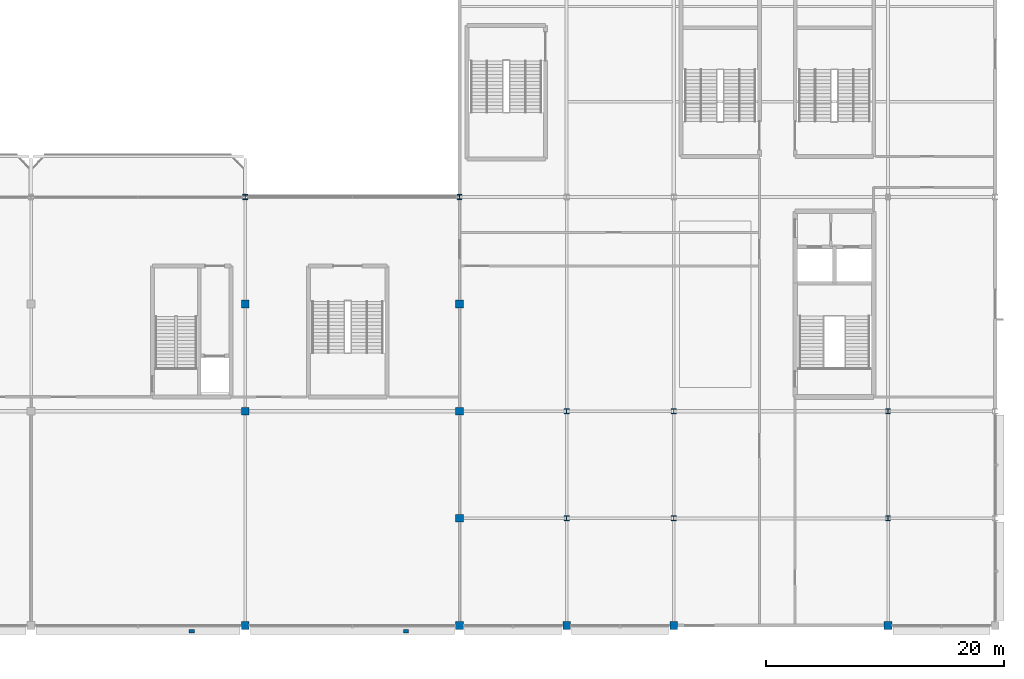
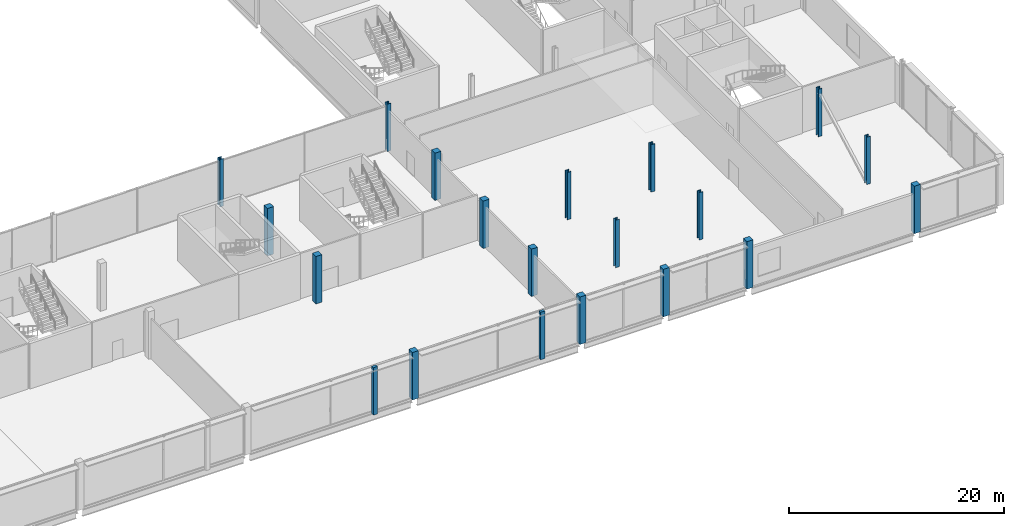
# One storey, part 7 of 113: 20 columns.
"""IFC4 building model written with IfcOpenShell, lengths in metres."""

from ifc_helpers import new_model, si_unit, direction, frame, origin, origin_2d, place, context, subcontext, project, spatial, rectangle, i_section, extrude, material, material_profile, profile_set, type_object, element, save


model = new_model("IFC4")

# Units and contexts
model_context = context("Model", 3, precision=1e-05, world=origin(), true_north=direction((0.0, 1.0)))
body_context = subcontext(model_context, "Body", "Model", "MODEL_VIEW")
ifc_project = project(units=[si_unit("LENGTHUNIT", "METRE"), si_unit("AREAUNIT", "SQUARE_METRE"), si_unit("VOLUMEUNIT", "CUBIC_METRE"), si_unit("PLANEANGLEUNIT", "RADIAN"), si_unit("MASSUNIT", "GRAM", prefix="KILO")], contexts=[model_context])

# Site, building, storey
site_placement = place(None, origin())
site = spatial("IfcSite", under=ifc_project, at=site_placement, CompositionType="ELEMENT")
building_placement = place(site_placement, origin())
building = spatial("IfcBuilding", under=site, at=building_placement, Name="Kisiwana Market Hall", CompositionType="ELEMENT")
storey_placement = place(building_placement, frame((0.0, 0.0, 6.0)))
storey = spatial("IfcBuildingStorey", under=building, at=storey_placement, Name="L01", CompositionType="ELEMENT", Elevation=6.0)

# Columns
ifc_material_1 = material(Name="Concrete C40/50", Category="concrete")
ifc_material_profile_1 = material_profile(ifc_material_1, rectangle(XDim=0.64990234375, YDim=0.64990234375, at=origin_2d()), Name="RC 650x650")
ifc_profile_set_1 = profile_set([ifc_material_profile_1], Name="Concrete C40/50")
column_type_1 = type_object("IfcColumnType", Name="COL-RC-POD-650", PredefinedType="COLUMN", material=ifc_profile_set_1)
for number, where, z_axis, x_axis, name in (
    (1, (135.0, 0.0, 0.0), (0.0, 0.0, 1.0), (1.0, 0.0, 0.0), "Column A/16 (L01) C-0441"),
    (2, (135.0, 18.0, 0.0), (0.0, 0.0, 1.0), (1.0, 0.0, 0.0), "Column C/16 (L01) C-0442"),
    (3, (135.0, 27.0, 0.0), (0.0, 0.0, 1.0), (1.0, 0.0, 0.0), "Column D/16 (L01) C-0443"),
    (4, (153.0, 0.0, 0.0), (0.0, 0.0, 1.0), (1.0, 0.0, 0.0), "Column A/18 (L01) C-0449"),
    (5, (153.0, 9.0, 0.0), (0.0, 0.0, 1.0), (1.0, 0.0, 0.0), "Column B/18 (L01) C-0450"),
    (6, (153.0, 18.0, 0.0), (0.0, 0.0, 1.0), (1.0, 0.0, 0.0), "Column C/18 (L01) C-0451"),
    (7, (153.0, 27.0, 0.0), (0.0, 0.0, 1.0), (1.0, 0.0, 0.0), "Column D/18 (L01) C-0452"),
    (8, (162.0, 0.0, 0.0), (0.0, 0.0, 1.0), (1.0, 0.0, 0.0), "Column A/19 (L01) C-0460"),
    (9, (171.0, 0.0, 0.0), (0.0, 0.0, 1.0), (1.0, 0.0, 0.0), "Column A/20 (L01) C-0468"),
    (10, (189.0, 0.0, 0.0), (0.0, 0.0, 1.0), (1.0, 0.0, 0.0), "Column A/22 (L01) C-0477"),
):
    element("IfcColumn", number, at=place(storey_placement, frame(where, z_axis=z_axis, x_axis=x_axis)), inside=storey, type_object=column_type_1, Name=name, PredefinedType="COLUMN", context=body_context, shape_type="SweptSolid", body=[
        extrude(rectangle(XDim=0.64990234375, YDim=0.64990234375, at=origin_2d()), origin(), (0.0, 0.0, 1.0), 5.39990234375),
    ])
ifc_material_2 = material(Name="Steel S355", Category="steel")
ifc_material_profile_2 = material_profile(ifc_material_2, i_section(OverallWidth=0.412109375, OverallDepth=0.43505859375, WebThickness=0.035888671875, FlangeThickness=0.05810546875, at=origin_2d()), Name="HD 400x463")
ifc_profile_set_2 = profile_set([ifc_material_profile_2], Name="Steel S355")
column_type_2 = type_object("IfcColumnType", Name="COL-STL-HD463", PredefinedType="COLUMN", material=ifc_profile_set_2)
for number, where, z_axis, x_axis, name in (
    (11, (135.0, 36.0, 0.0), (0.0, 0.0, 1.0), (1.0, 0.0, 0.0), "Column E/16 (L01) C-0444"),
    (12, (153.0, 36.0, 0.0), (0.0, 0.0, 1.0), (1.0, 0.0, 0.0), "Column E/18 (L01) C-0453"),
    (13, (162.0, 18.0, 0.0), (0.0, 0.0, 1.0), (1.0, 0.0, 0.0), "Column C/19 (L01) C-0462"),
    (14, (171.0, 18.0, 0.0), (0.0, 0.0, 1.0), (1.0, 0.0, 0.0), "Column C/20 (L01) C-0470"),
    (15, (189.0, 18.0, 0.0), (0.0, 0.0, 1.0), (1.0, 0.0, 0.0), "Column C/22 (L01) C-0479"),
):
    element("IfcColumn", number, at=place(storey_placement, frame(where, z_axis=z_axis, x_axis=x_axis)), inside=storey, type_object=column_type_2, Name=name, PredefinedType="COLUMN", context=body_context, shape_type="SweptSolid", body=[
        extrude(i_section(OverallWidth=0.412109375, OverallDepth=0.43505859375, WebThickness=0.035888671875, FlangeThickness=0.05810546875, at=origin_2d()), origin(), (0.0, 0.0, 1.0), 5.39990234375),
    ])
ifc_material_3 = material(Name="Steel S355", Category="steel")
ifc_material_profile_3 = material_profile(ifc_material_3, i_section(OverallWidth=0.403076171875, OverallDepth=0.406494140625, WebThickness=0.026611328125, FlangeThickness=0.04296875, at=origin_2d()), Name="UC 356x406x340")
ifc_profile_set_3 = profile_set([ifc_material_profile_3], Name="Steel S355")
column_type_3 = type_object("IfcColumnType", Name="COL-STL-UC340", PredefinedType="COLUMN", material=ifc_profile_set_3)
for number, where, z_axis, x_axis, name in (
    (16, (162.0, 9.0, 0.0), (0.0, 0.0, 1.0), (1.0, 0.0, 0.0), "Column B/19 (L01) C-0461"),
    (17, (171.0, 9.0, 0.0), (0.0, 0.0, 1.0), (1.0, 0.0, 0.0), "Column B/20 (L01) C-0469"),
    (18, (189.0, 9.0, 0.0), (0.0, 0.0, 1.0), (1.0, 0.0, 0.0), "Column B/22 (L01) C-0478"),
):
    element("IfcColumn", number, at=place(storey_placement, frame(where, z_axis=z_axis, x_axis=x_axis)), inside=storey, type_object=column_type_3, Name=name, PredefinedType="COLUMN", context=body_context, shape_type="SweptSolid", body=[
        extrude(i_section(OverallWidth=0.403076171875, OverallDepth=0.406494140625, WebThickness=0.026611328125, FlangeThickness=0.04296875, at=origin_2d()), origin(), (0.0, 0.0, 1.0), 5.39990234375),
    ])
ifc_material_4 = material(Name="Concrete C40/50", Category="concrete")
ifc_material_profile_4 = material_profile(ifc_material_4, rectangle(XDim=0.449951171875, YDim=0.300048828125, at=origin_2d()), Name="PIL 450x300")
ifc_profile_set_4 = profile_set([ifc_material_profile_4], Name="Concrete C40/50")
column_type_4 = type_object("IfcColumnType", Name="PIL-CONC-450", PredefinedType="PILASTER", material=ifc_profile_set_4)
for number, where, z_axis, x_axis, name in (
    (19, (130.5, -0.5, 0.0), (0.0, 0.0, 1.0), (1.0, 0.0, 0.0), "Facade pilaster A/15 (L01) C-0498"),
    (20, (148.5, -0.5, 0.0), (0.0, 0.0, 1.0), (1.0, 0.0, 0.0), "Facade pilaster A/17 (L01) C-0499"),
):
    element("IfcColumn", number, at=place(storey_placement, frame(where, z_axis=z_axis, x_axis=x_axis)), inside=storey, type_object=column_type_4, Name=name, PredefinedType="PILASTER", context=body_context, shape_type="SweptSolid", body=[
        extrude(rectangle(XDim=0.449951171875, YDim=0.300048828125, at=origin_2d()), origin(), (0.0, 0.0, 1.0), 5.39990234375),
    ])

save(model, "model.ifc")
